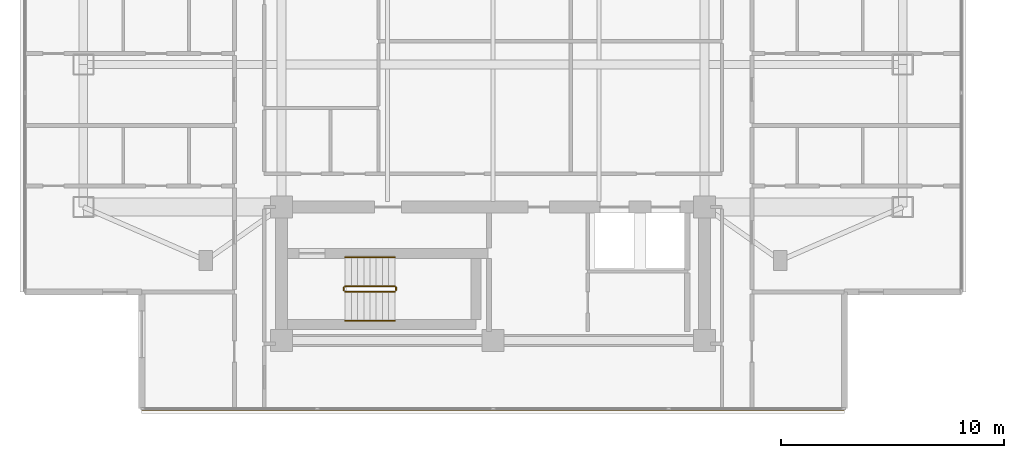
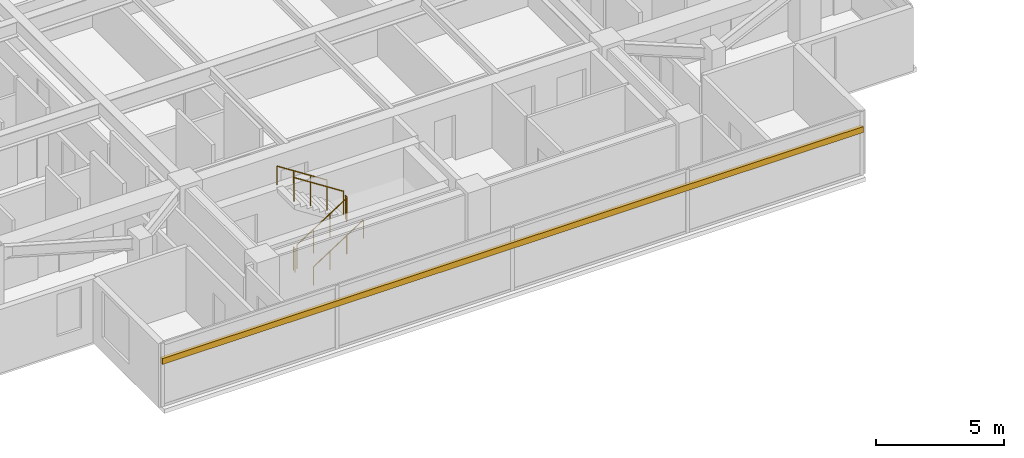
# One storey, part 21 of 26: 6 railings, 1 shading device.
"""IFC4 building model written with IfcOpenShell, lengths in metres."""

import ifcopenshell
import ifcopenshell.guid

model = None  # the IFC model being written
_history = None  # IfcOwnerHistory: only IFC2X3 demands one
_inside = {}  # id of a spatial element -> (the spatial element, [elements in it])
_under = {}  # id of a project, library or spatial element -> (it, [spatial elements below it])
_declared = {}  # id of a project -> (the project, [libraries it declares])
_typed = {}  # id of a type object -> (the type object, [elements of that type])
_made_of = {}  # id of a material, layer set ... -> (it, [elements and type objects made of it])


def new_model(schema):
    """Start an empty IFC model of exactly this schema.

    Asked for "IFC4X3", IfcOpenShell would pick the latest addendum, in which some entities
    have other attributes; the version numbers below select the first issue.
    IFC2X3 requires an IfcOwnerHistory on every rooted entity: one is made here for all.
    """
    global model, _history
    if schema == "IFC4X3":
        model = ifcopenshell.file(schema_version=(4, 3, 0, 0))
    else:
        model = ifcopenshell.file(schema=schema)
    _inside.clear()
    _under.clear()
    _declared.clear()
    _typed.clear()
    _made_of.clear()
    _history = None
    if model.schema == "IFC2X3":
        org = make("IfcOrganization", Name="unknown")
        user = make(
            "IfcPersonAndOrganization",
            ThePerson=make("IfcPerson", FamilyName="unknown"),
            TheOrganization=org,
        )
        app = make(
            "IfcApplication",
            ApplicationDeveloper=org,
            Version="unknown",
            ApplicationFullName="unknown",
            ApplicationIdentifier="unknown",
        )
        _history = make(
            "IfcOwnerHistory",
            OwningUser=user,
            OwningApplication=app,
            ChangeAction="ADDED",
            CreationDate=0,
        )
    return model


def make(cls, **values):
    """One entity of the class cls with the attributes given. An attribute that is None is left unset."""
    return model.create_entity(
        cls, **{name: value for name, value in values.items() if value is not None}
    )


def rooted(cls, **values):
    """An entity with a GlobalId (a new one), such as an element, a storey or a relation."""
    return make(cls, GlobalId=ifcopenshell.guid.new(), OwnerHistory=_history, **values)


def si_unit(unit_type, name, prefix=None):
    """IfcSIUnit, for example si_unit("LENGTHUNIT", "METRE", prefix="MILLI")."""
    return make("IfcSIUnit", UnitType=unit_type, Prefix=prefix, Name=name)


def assignment(units):
    """IfcUnitAssignment: the units of a project."""
    return None if units is None else make("IfcUnitAssignment", Units=units)


def point(xyz):
    """IfcCartesianPoint."""
    return None if xyz is None else make("IfcCartesianPoint", Coordinates=xyz)


def direction(xyz):
    """IfcDirection."""
    return None if xyz is None else make("IfcDirection", DirectionRatios=xyz)


def frame(location, z_axis=None, x_axis=None):
    """IfcAxis2Placement3D, a coordinate frame: its origin and axes. An axis left out is left unset."""
    return make(
        "IfcAxis2Placement3D",
        Location=point(location),
        Axis=direction(z_axis),
        RefDirection=direction(x_axis),
    )


def frame_2d(location, x_axis=None):
    """IfcAxis2Placement2D, a coordinate frame in the plane: its origin and x axis."""
    return make(
        "IfcAxis2Placement2D", Location=point(location), RefDirection=direction(x_axis)
    )


def origin():
    """The frame at (0, 0, 0) with its axes left unset."""
    return frame((0.0, 0.0, 0.0))


def origin_2d():
    """The frame at (0, 0) in the plane with its x axis left unset."""
    return frame_2d((0.0, 0.0))


def place(relative_to, where):
    """IfcLocalPlacement: puts the frame where relative to a parent placement (None: the world)."""
    return make(
        "IfcLocalPlacement", PlacementRelTo=relative_to, RelativePlacement=where
    )


def context(
    kind, dimensions, precision=None, world=None, true_north=None, identifier=None
):
    """IfcGeometricRepresentationContext, for example the 3D "Model" context."""
    return make(
        "IfcGeometricRepresentationContext",
        ContextIdentifier=identifier,
        ContextType=kind,
        CoordinateSpaceDimension=dimensions,
        Precision=precision,
        WorldCoordinateSystem=world,
        TrueNorth=true_north,
    )


def subcontext(parent, identifier, kind, view, scale=None):
    """IfcGeometricRepresentationSubContext, for example "Body" below "Model"."""
    return make(
        "IfcGeometricRepresentationSubContext",
        ContextIdentifier=identifier,
        ContextType=kind,
        ParentContext=parent,
        TargetScale=scale,
        TargetView=view,
    )


def project(units=None, contexts=None):
    """IfcProject with its units and contexts."""
    return rooted(
        "IfcProject",
        Name="project",
        RepresentationContexts=contexts,
        UnitsInContext=assignment(units),
    )


def spatial(cls, under=None, at=None, **own):
    """A site, building, storey or space (cls), placed at a placement, below another one or the project."""
    s = rooted(cls, ObjectPlacement=at, **own)
    if under is not None:
        _under.setdefault(under.id(), (under, []))[1].append(s)
    return s


def profile(cls, at=None, kind="AREA", **sizes):
    """A parametric profile (cls). Its sizes go by their IFC names, for example OverallWidth=200.0."""
    return make(cls, ProfileType=kind, Position=at, **sizes)


def rectangle(**sizes):
    """IfcRectangleProfileDef."""
    return profile("IfcRectangleProfileDef", **sizes)


def circle(**sizes):
    """IfcCircleProfileDef."""
    return profile("IfcCircleProfileDef", **sizes)


def extrude(swept, where, along, depth):
    """IfcExtrudedAreaSolid: the profile swept, set in the frame where, extruded along a direction by depth."""
    return make(
        "IfcExtrudedAreaSolid",
        SweptArea=swept,
        Position=where,
        ExtrudedDirection=direction(along),
        Depth=depth,
    )


def shape(context_of_items, identifier, shape_type, items):
    """IfcShapeRepresentation: the items that make up one representation, for example the "Body"."""
    return make(
        "IfcShapeRepresentation",
        ContextOfItems=context_of_items,
        RepresentationIdentifier=identifier,
        RepresentationType=shape_type,
        Items=items,
    )


def material(Name=None, Category=None):
    """IfcMaterial."""
    return make("IfcMaterial", Name=Name, Category=Category)


def material_profile(
    of_material, cross_section, Name=None, Category=None, Priority=None
):
    """IfcMaterialProfile: a cross section and its material."""
    return make(
        "IfcMaterialProfile",
        Name=Name,
        Material=of_material,
        Profile=cross_section,
        Priority=Priority,
        Category=Category,
    )


def profile_set(profiles, Name=None, composite=None):
    """IfcMaterialProfileSet."""
    return make(
        "IfcMaterialProfileSet",
        Name=Name,
        MaterialProfiles=profiles,
        CompositeProfile=composite,
    )


def made_of(thing, what):
    """Note that an element or type object is made of a material, layer set ...; save() writes the relation."""
    if what is not None:
        _made_of.setdefault(what.id(), (what, []))[1].append(thing)
    return thing


def type_object(cls, material=None, **own):
    """A type object (cls), such as IfcWallType, which elements share."""
    return made_of(rooted(cls, **own), material)


def element(
    cls,
    number,
    at=None,
    inside=None,
    cuts=None,
    type_object=None,
    material=None,
    context=None,
    identifier="Body",
    shape_type=None,
    held_by="IfcProductDefinitionShape",
    body=None,
    shapes=None,
    **own,
):
    """One element of the class cls, such as IfcWall. Its Tag is "e" and its number.

    at: its placement. inside: the storey or other place that contains it. cuts: it is an
    opening in that element (IfcRelVoidsElement). A single representation is given by context,
    identifier, shape_type and body (its items); several are given by shapes. held_by: the class
    of the entity that holds the representations. save() writes the other relations.
    """
    e = rooted(cls, Tag="e%d" % number, ObjectPlacement=at, **own)
    if body is not None:
        shapes = [shape(context, identifier, shape_type, body)]
    if shapes is not None:
        e.Representation = make(held_by, Representations=shapes)
    if inside is not None:
        _inside.setdefault(inside.id(), (inside, []))[1].append(e)
    if cuts is not None:
        rooted(
            "IfcRelVoidsElement", RelatingBuildingElement=cuts, RelatedOpeningElement=e
        )
    if type_object is not None:
        _typed.setdefault(type_object.id(), (type_object, []))[1].append(e)
    return made_of(e, material)


def aggregate(whole, parts):
    """IfcRelAggregates: a whole, such as a stair, and the parts it consists of."""
    return rooted("IfcRelAggregates", RelatingObject=whole, RelatedObjects=parts)


def save(model, path):
    """Write the relations noted so far, then the file.

    IfcRelAggregates (storeys below a building ...), IfcRelContainedInSpatialStructure (elements
    in a storey), IfcRelDefinesByType, IfcRelAssociatesMaterial and IfcRelDeclares: one each for
    every whole, place, type object, material and project.
    """
    for whole, parts in _under.values():
        aggregate(whole, parts)
    for where, things in _inside.values():
        rooted(
            "IfcRelContainedInSpatialStructure",
            RelatedElements=things,
            RelatingStructure=where,
        )
    for kind, things in _typed.values():
        rooted("IfcRelDefinesByType", RelatedObjects=things, RelatingType=kind)
    for what, things in _made_of.values():
        rooted("IfcRelAssociatesMaterial", RelatedObjects=things, RelatingMaterial=what)
    for by, libraries in _declared.values():
        rooted("IfcRelDeclares", RelatingContext=by, RelatedDefinitions=libraries)
    model.write(path)


model = new_model("IFC4")

# Units and contexts
model_context = context("Model", 3, precision=1e-05, world=origin(), true_north=direction((0.0, 1.0)))
body_context = subcontext(model_context, "Body", "Model", "MODEL_VIEW")
ifc_project = project(units=[si_unit("LENGTHUNIT", "METRE"), si_unit("AREAUNIT", "SQUARE_METRE"), si_unit("VOLUMEUNIT", "CUBIC_METRE"), si_unit("PLANEANGLEUNIT", "RADIAN"), si_unit("MASSUNIT", "GRAM", prefix="KILO")], contexts=[model_context])

# Site, building, storey
site_placement = place(None, origin())
site = spatial("IfcSite", under=ifc_project, at=site_placement, CompositionType="ELEMENT")
building_placement = place(site_placement, origin())
building = spatial("IfcBuilding", under=site, at=building_placement, Name="Mirazonda Arch Towers", CompositionType="ELEMENT")
storey_placement = place(building_placement, frame((0.0, 0.0, 170.64990234375)))
storey = spatial("IfcBuildingStorey", under=building, at=storey_placement, Name="L48", CompositionType="ELEMENT", Elevation=170.64990234375)

# Shading device
ifc_material_1 = material(Name="Kiln-Fired Architectural Terracotta", Category="masonry")
ifc_material_profile = material_profile(ifc_material_1, rectangle(XDim=0.139892578125, YDim=0.280029296875, at=origin_2d()), Name="TERRA-BAG-140x280")
ifc_profile_set = profile_set([ifc_material_profile], Name="Kiln-Fired Architectural Terracotta")
shading_device_type = type_object("IfcShadingDeviceType", Name="BAGUETTE-3", PredefinedType="USERDEFINED", material=ifc_profile_set)
shading_device_placement = place(storey_placement, frame((36.284912109375, 9.340087890625, 2.181640625), z_axis=(-1.0, 0.0, 0.0), x_axis=(0.0, -1.0, 0.0)))
element("IfcShadingDevice", 1, at=shading_device_placement, inside=storey, type_object=shading_device_type, Name="L48 Glazed Terracotta Sun-Screen Baguette CW-L48-T1-S", ObjectType="BAGUETTE", PredefinedType="USERDEFINED", context=body_context, shape_type="SweptSolid", body=[
    extrude(rectangle(XDim=0.139892578125, YDim=0.280029296875, at=origin_2d()), origin(), (0.0, 0.0, 1.0), 31.56982421875),
])

# Railings
ifc_material_2 = material(Name="Architectural Brushed Steel S355", Category="steel")
railing_type_1 = type_object("IfcRailingType", Name="GUARD-STAIR-1120", PredefinedType="GUARDRAIL", material=ifc_material_2)
railing_1_placement = place(storey_placement, frame((13.85009765625, 14.60009765625, 0.1806640625)))
element("IfcRailing", 2, at=railing_1_placement, inside=storey, type_object=railing_type_1, Name="L48 ST-T1S stair guard 1", PredefinedType="GUARDRAIL", context=body_context, shape_type="SweptSolid", body=[
    extrude(circle(Radius=0.02392578125, at=origin_2d()), frame((0.0, 0.0, 1.1259765625), z_axis=(0.840436612492, 0.0, 0.541909863706), x_axis=(0.0, 1.0, 0.0)), (0.0, 0.0, 1.0), 2.665283203125),
    extrude(circle(Radius=0.02099609375, at=origin_2d()), origin(), (0.0, 0.0, 1.0), 1.101806640625),
    extrude(circle(Radius=0.02099609375, at=origin_2d()), frame((0.74658203125, 0.0, 0.4814453125)), (0.0, 0.0, 1.0), 1.101806640625),
    extrude(circle(Radius=0.02099609375, at=origin_2d()), frame((1.493408203125, 0.0, 0.962890625)), (0.0, 0.0, 1.0), 1.101806640625),
    extrude(circle(Radius=0.02099609375, at=origin_2d()), frame((2.239990234375, 0.0, 1.4443359375)), (0.0, 0.0, 1.0), 1.101806640625),
])
railing_2_placement = place(storey_placement, frame((16.139892578125, 14.64990234375, 1.625)))
element("IfcRailing", 3, at=railing_2_placement, inside=storey, type_object=railing_type_1, Name="L48 ST-T1S stair guard 2", PredefinedType="GUARDRAIL", context=body_context, shape_type="SweptSolid", body=[
    extrude(circle(Radius=0.02392578125, at=origin_2d()), frame((0.0, 0.0, 1.1259765625), z_axis=(0.0, 1.0, 0.0), x_axis=(-1.0, 0.0, 0.0)), (0.0, 0.0, 1.0), 0.14013671875),
    extrude(circle(Radius=0.02099609375, at=origin_2d()), origin(), (0.0, 0.0, 1.0), 1.101806640625),
    extrude(circle(Radius=0.02099609375, at=origin_2d()), frame((0.0, 0.14013671875, 0.0)), (0.0, 0.0, 1.0), 1.101806640625),
])
railing_3_placement = place(storey_placement, frame((16.090087890625, 14.840087890625, 1.8056640625)))
element("IfcRailing", 4, at=railing_3_placement, inside=storey, type_object=railing_type_1, Name="L48 ST-T1S stair guard 3", PredefinedType="GUARDRAIL", context=body_context, shape_type="SweptSolid", body=[
    extrude(circle(Radius=0.02392578125, at=origin_2d()), frame((0.0, 0.0, 1.1259765625), z_axis=(-0.840436612492, 0.0, 0.541909863706), x_axis=(0.0, -1.0, 0.0)), (0.0, 0.0, 1.0), 2.665283203125),
    extrude(circle(Radius=0.02099609375, at=origin_2d()), origin(), (0.0, 0.0, 1.0), 1.101806640625),
    extrude(circle(Radius=0.02099609375, at=origin_2d()), frame((-0.74658203125, 0.0, 0.4814453125)), (0.0, 0.0, 1.0), 1.101806640625),
    extrude(circle(Radius=0.02099609375, at=origin_2d()), frame((-1.493408203125, 0.0, 0.962890625)), (0.0, 0.0, 1.0), 1.101806640625),
    extrude(circle(Radius=0.02099609375, at=origin_2d()), frame((-2.239990234375, 0.0, 1.4443359375)), (0.0, 0.0, 1.0), 1.101806640625),
])
railing_4_placement = place(storey_placement, frame((13.800048828125, 14.64990234375, 0.0)))
element("IfcRailing", 5, at=railing_4_placement, inside=storey, type_object=railing_type_1, Name="L48 ST-T1S stair guard 4", PredefinedType="GUARDRAIL", context=body_context, shape_type="SweptSolid", body=[
    extrude(circle(Radius=0.02392578125, at=origin_2d()), frame((0.0, 0.0, 1.1259765625), z_axis=(0.0, 1.0, 0.0), x_axis=(-1.0, 0.0, 0.0)), (0.0, 0.0, 1.0), 0.14013671875),
    extrude(circle(Radius=0.02099609375, at=origin_2d()), origin(), (0.0, 0.0, 1.0), 1.101806640625),
    extrude(circle(Radius=0.02099609375, at=origin_2d()), frame((0.0, 0.14013671875, 0.0)), (0.0, 0.0, 1.0), 1.101806640625),
])
railing_type_2 = type_object("IfcRailingType", Name="HANDRAIL-915", PredefinedType="HANDRAIL", material=ifc_material_2)
railing_5_placement = place(storey_placement, frame((13.85009765625, 13.300048828125, 0.1806640625)))
element("IfcRailing", 6, at=railing_5_placement, inside=storey, type_object=railing_type_2, Name="L48 ST-T1S stair handrail 1", PredefinedType="HANDRAIL", context=body_context, shape_type="SweptSolid", body=[
    extrude(circle(Radius=0.02392578125, at=origin_2d()), frame((0.0, 0.0, 0.8759765625), z_axis=(0.840436612492, 0.0, 0.541909863706), x_axis=(0.0, 1.0, 0.0)), (0.0, 0.0, 1.0), 2.665283203125),
    extrude(circle(Radius=0.02099609375, at=origin_2d()), origin(), (0.0, 0.0, 1.0), 0.851806640625),
    extrude(circle(Radius=0.02099609375, at=origin_2d()), frame((0.74658203125, 0.0, 0.4814453125)), (0.0, 0.0, 1.0), 0.851806640625),
    extrude(circle(Radius=0.02099609375, at=origin_2d()), frame((1.493408203125, 0.0, 0.962890625)), (0.0, 0.0, 1.0), 0.851806640625),
    extrude(circle(Radius=0.02099609375, at=origin_2d()), frame((2.239990234375, 0.0, 1.4443359375)), (0.0, 0.0, 1.0), 0.851806640625),
])
railing_6_placement = place(storey_placement, frame((16.090087890625, 16.139892578125, 1.8056640625)))
element("IfcRailing", 7, at=railing_6_placement, inside=storey, type_object=railing_type_2, Name="L48 ST-T1S stair handrail 2", PredefinedType="HANDRAIL", context=body_context, shape_type="SweptSolid", body=[
    extrude(circle(Radius=0.02392578125, at=origin_2d()), frame((0.0, 0.0, 0.8759765625), z_axis=(-0.840436612492, 0.0, 0.541909863706), x_axis=(0.0, -1.0, 0.0)), (0.0, 0.0, 1.0), 2.665283203125),
    extrude(circle(Radius=0.02099609375, at=origin_2d()), origin(), (0.0, 0.0, 1.0), 0.851806640625),
    extrude(circle(Radius=0.02099609375, at=origin_2d()), frame((-0.74658203125, 0.0, 0.4814453125)), (0.0, 0.0, 1.0), 0.851806640625),
    extrude(circle(Radius=0.02099609375, at=origin_2d()), frame((-1.493408203125, 0.0, 0.962890625)), (0.0, 0.0, 1.0), 0.851806640625),
    extrude(circle(Radius=0.02099609375, at=origin_2d()), frame((-2.239990234375, 0.0, 1.4443359375)), (0.0, 0.0, 1.0), 0.851806640625),
])

save(model, "model.ifc")
